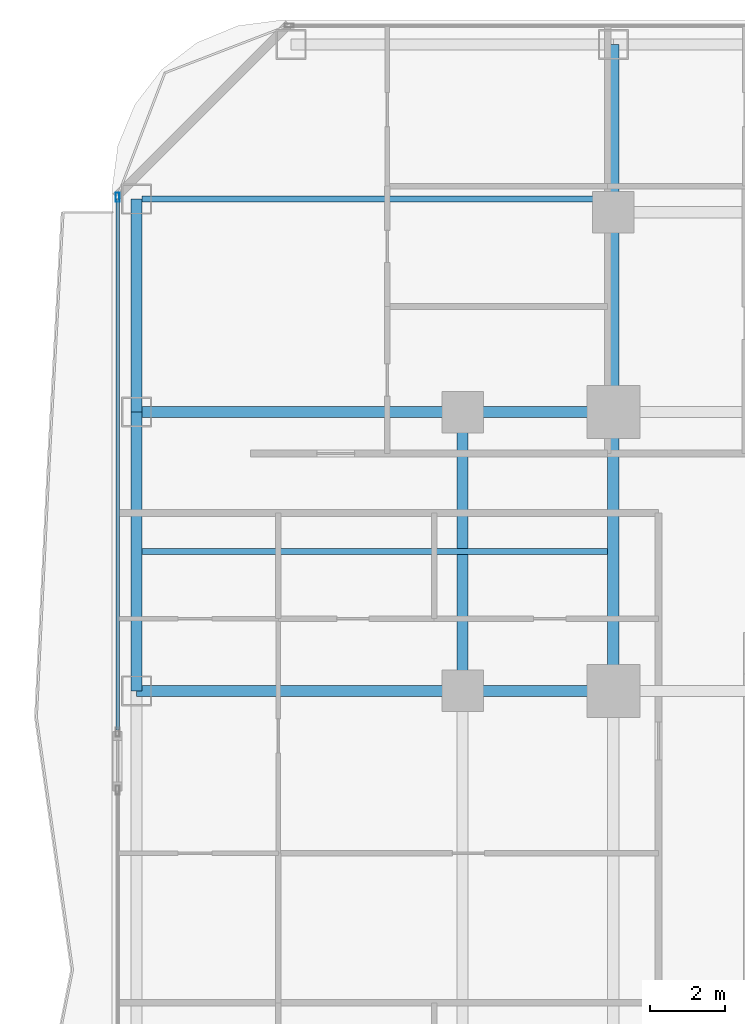
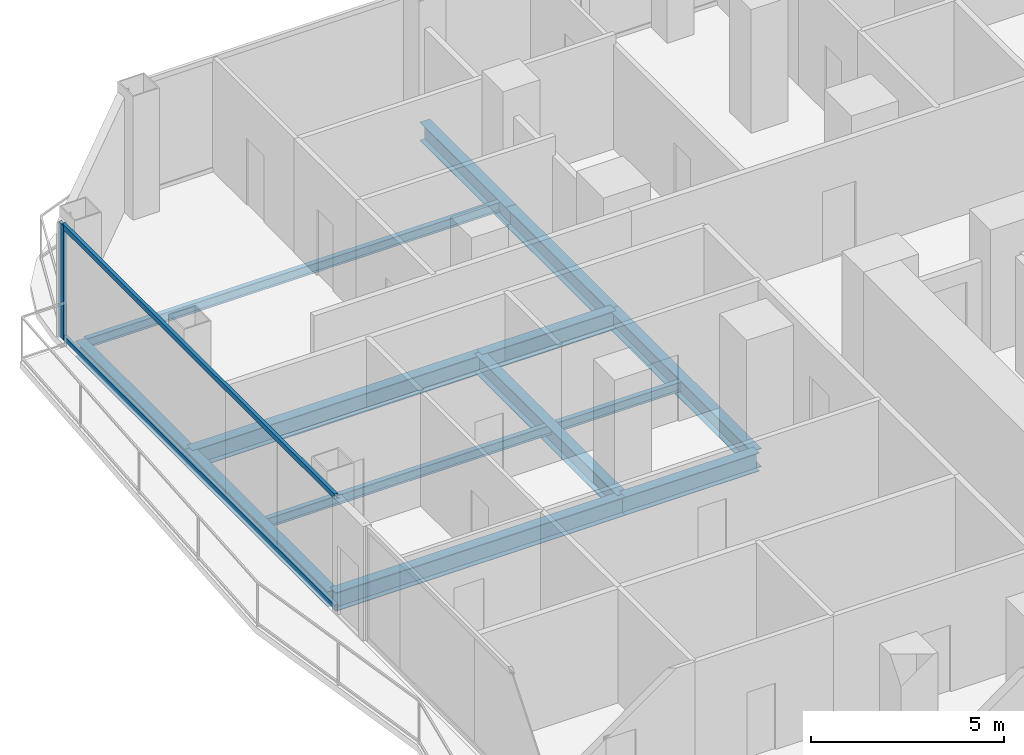
# One storey, part 13 of 29: 12 beams, 3 members, 1 element without a shape of its own.
"""IFC4 building model written with IfcOpenShell, lengths in metres."""

from ifc_helpers import new_model, si_unit, direction, frame, origin, origin_2d, place, context, subcontext, project, spatial, hollow_rectangle, i_section, extrude, material, layer, layer_set, material_profile, profile_set, type_object, element, aggregate, save


model = new_model("IFC4")

# Units and contexts
model_context = context("Model", 3, precision=1e-05, world=origin(), true_north=direction((0.0, 1.0)))
body_context = subcontext(model_context, "Body", "Model", "MODEL_VIEW")
ifc_project = project(units=[si_unit("LENGTHUNIT", "METRE"), si_unit("AREAUNIT", "SQUARE_METRE"), si_unit("VOLUMEUNIT", "CUBIC_METRE"), si_unit("PLANEANGLEUNIT", "RADIAN"), si_unit("MASSUNIT", "GRAM", prefix="KILO")], contexts=[model_context])

# Site, building, storey
site_placement = place(None, origin())
site = spatial("IfcSite", under=ifc_project, at=site_placement, CompositionType="ELEMENT")
building_placement = place(site_placement, origin())
building = spatial("IfcBuilding", under=site, at=building_placement, Name="Khorvyn Point Tower", CompositionType="ELEMENT")
storey_placement = place(building_placement, frame((0.0, 0.0, 73.5)))
storey = spatial("IfcBuildingStorey", under=building, at=storey_placement, Name="L19", CompositionType="ELEMENT", Elevation=73.5)

# Curtain wall, members
ifc_material_1 = material(Name="Anodised aluminium 6063-T6 and laminated Low-E glass", Category="aluminium")
ifc_layer = layer(ifc_material_1, 0.18994140625)
ifc_layer_set = layer_set([ifc_layer], Name="Stick-Built Finned Residential Curtain Wall CW-SYS-02")
curtain_wall_type = type_object("IfcCurtainWallType", Name="Stick-Built Finned Residential Curtain Wall CW-SYS-02", PredefinedType="NOTDEFINED", material=ifc_layer_set)
curtain_wall_placement = place(storey_placement, origin())
curtain_wall = element("IfcCurtainWall", 1, at=curtain_wall_placement, inside=storey, type_object=curtain_wall_type, Name="Curtain Wall", PredefinedType="NOTDEFINED")
ifc_material_2 = material(Name="Anodised aluminium 6063-T6", Category="aluminium")
ifc_material_profile_1 = material_profile(ifc_material_2, hollow_rectangle(XDim=0.10009765625, YDim=0.239990234375, WallThickness=0.0048828125, at=origin_2d()))
ifc_profile_set_1 = profile_set([ifc_material_profile_1], Name="Anodised aluminium 6063-T6 ALU-MUL-100x240")
member_type_1 = type_object("IfcMemberType", Name="Anodised Aluminium 6063-T6 Mullion ALU-MUL-100x240", PredefinedType="MULLION", material=ifc_profile_set_1)
member_1_placement = place(storey_placement, frame((-27.949951171875, 20.5, 0.0), z_axis=(0.0, 0.0, 1.0), x_axis=(-1.0, 0.0, 0.0)))
member_1 = element("IfcMember", 2, at=member_1_placement, type_object=member_type_1, Name="Transom", PredefinedType="MULLION", context=body_context, shape_type="SweptSolid", body=[
    extrude(hollow_rectangle(XDim=0.10009765625, YDim=0.239990234375, WallThickness=0.0048828125, at=origin_2d()), origin(), (0.0, 0.0, 1.0), 3.60009765625),
])
ifc_material_profile_2 = material_profile(ifc_material_2, hollow_rectangle(XDim=0.10009765625, YDim=0.159912109375, WallThickness=0.00439453125, at=origin_2d()))
ifc_profile_set_2 = profile_set([ifc_material_profile_2], Name="Anodised aluminium 6063-T6 ALU-TRN-100x160")
member_type_2 = type_object("IfcMemberType", Name="Anodised Aluminium 6063-T6 Transom ALU-TRN-100x160", PredefinedType="USERDEFINED", material=ifc_profile_set_2)
member_2_placement = place(storey_placement, frame((-27.949951171875, 6.35888671875, 0.050048828125), z_axis=(0.0, 1.0, 0.0), x_axis=(-1.0, 0.0, 0.0)))
member_2 = element("IfcMember", 3, at=member_2_placement, type_object=member_type_2, Name="Transom", ObjectType="TRANSOM", PredefinedType="USERDEFINED", context=body_context, shape_type="SweptSolid", body=[
    extrude(hollow_rectangle(XDim=0.10009765625, YDim=0.159912109375, WallThickness=0.00439453125, at=origin_2d()), origin(), (0.0, 0.0, 1.0), 14.091064453125),
])
member_3_placement = place(storey_placement, frame((-27.949951171875, 6.35888671875, 3.550048828125), z_axis=(0.0, 1.0, 0.0), x_axis=(-1.0, 0.0, 0.0)))
member_3 = element("IfcMember", 4, at=member_3_placement, type_object=member_type_2, Name="Transom", ObjectType="TRANSOM", PredefinedType="USERDEFINED", context=body_context, shape_type="SweptSolid", body=[
    extrude(hollow_rectangle(XDim=0.10009765625, YDim=0.159912109375, WallThickness=0.00439453125, at=origin_2d()), origin(), (0.0, 0.0, 1.0), 14.091064453125),
])
aggregate(curtain_wall, [member_1, member_2, member_3])

# Beams
ifc_material_3 = material(Name="Steel S355", Category="steel")
ifc_material_profile_3 = material_profile(ifc_material_3, i_section(OverallWidth=0.300048828125, OverallDepth=0.587890625, WebThickness=0.011962890625, FlangeThickness=0.02001953125, at=origin_2d()))
ifc_profile_set_3 = profile_set([ifc_material_profile_3], Name="Steel S355 H588x300x12x20")
beam_type_1 = type_object("IfcBeamType", Name="Steel S355 Beam H588x300x12x20", PredefinedType="BEAM", material=ifc_profile_set_3)
beam_1_placement = place(storey_placement, frame((-27.449951171875, 14.800048828125, -0.513916015625), z_axis=(1.0, 0.0, 0.0), x_axis=(0.0, 1.0, 0.0)))
element("IfcBeam", 5, at=beam_1_placement, inside=storey, type_object=beam_type_1, Name="Beam", PredefinedType="BEAM", context=body_context, shape_type="SweptSolid", body=[
    extrude(i_section(OverallWidth=0.300048828125, OverallDepth=0.587890625, WebThickness=0.011962890625, FlangeThickness=0.02001953125, at=origin_2d()), origin(), (0.0, 0.0, 1.0), 8.64990234375),
])
beam_2_placement = place(storey_placement, frame((-18.800048828125, 14.800048828125, -0.513916015625), z_axis=(1.0, 0.0, 0.0), x_axis=(0.0, 1.0, 0.0)))
element("IfcBeam", 6, at=beam_2_placement, inside=storey, type_object=beam_type_1, Name="Beam", PredefinedType="BEAM", context=body_context, shape_type="SweptSolid", body=[
    extrude(i_section(OverallWidth=0.300048828125, OverallDepth=0.587890625, WebThickness=0.011962890625, FlangeThickness=0.02001953125, at=origin_2d()), origin(), (0.0, 0.0, 1.0), 4.0),
])
beam_3_placement = place(storey_placement, frame((-27.449951171875, 7.39990234375, -0.513916015625), z_axis=(1.0, 0.0, 0.0), x_axis=(0.0, 1.0, 0.0)))
element("IfcBeam", 7, at=beam_3_placement, inside=storey, type_object=beam_type_1, Name="Beam", PredefinedType="BEAM", context=body_context, shape_type="SweptSolid", body=[
    extrude(i_section(OverallWidth=0.300048828125, OverallDepth=0.587890625, WebThickness=0.011962890625, FlangeThickness=0.02001953125, at=origin_2d()), origin(), (0.0, 0.0, 1.0), 8.64990234375),
])
beam_4_placement = place(storey_placement, frame((-18.800048828125, 7.39990234375, -0.513916015625), z_axis=(1.0, 0.0, 0.0), x_axis=(0.0, 1.0, 0.0)))
element("IfcBeam", 8, at=beam_4_placement, inside=storey, type_object=beam_type_1, Name="Beam", PredefinedType="BEAM", context=body_context, shape_type="SweptSolid", body=[
    extrude(i_section(OverallWidth=0.300048828125, OverallDepth=0.587890625, WebThickness=0.011962890625, FlangeThickness=0.02001953125, at=origin_2d()), origin(), (0.0, 0.0, 1.0), 4.0),
])
beam_5_placement = place(storey_placement, frame((-14.800048828125, 7.39990234375, -0.513916015625), z_axis=(0.0, 1.0, 0.0), x_axis=(-1.0, 0.0, 0.0)))
element("IfcBeam", 9, at=beam_5_placement, inside=storey, type_object=beam_type_1, Name="Beam", PredefinedType="BEAM", context=body_context, shape_type="SweptSolid", body=[
    extrude(i_section(OverallWidth=0.300048828125, OverallDepth=0.587890625, WebThickness=0.011962890625, FlangeThickness=0.02001953125, at=origin_2d()), origin(), (0.0, 0.0, 1.0), 7.400146484375),
])
beam_6_placement = place(storey_placement, frame((-14.800048828125, 14.800048828125, -0.513916015625), z_axis=(0.0, 1.0, 0.0), x_axis=(-1.0, 0.0, 0.0)))
element("IfcBeam", 10, at=beam_6_placement, inside=storey, type_object=beam_type_1, Name="Beam", PredefinedType="BEAM", context=body_context, shape_type="SweptSolid", body=[
    extrude(i_section(OverallWidth=0.300048828125, OverallDepth=0.587890625, WebThickness=0.011962890625, FlangeThickness=0.02001953125, at=origin_2d()), origin(), (0.0, 0.0, 1.0), 5.300048828125),
])
beam_7_placement = place(storey_placement, frame((-14.800048828125, 20.10009765625, -0.513916015625), z_axis=(0.0, 1.0, 0.0), x_axis=(-1.0, 0.0, 0.0)))
element("IfcBeam", 11, at=beam_7_placement, inside=storey, type_object=beam_type_1, Name="Beam", PredefinedType="BEAM", context=body_context, shape_type="SweptSolid", body=[
    extrude(i_section(OverallWidth=0.300048828125, OverallDepth=0.587890625, WebThickness=0.011962890625, FlangeThickness=0.02001953125, at=origin_2d()), origin(), (0.0, 0.0, 1.0), 4.449951171875),
])
beam_8_placement = place(storey_placement, frame((-18.800048828125, 7.39990234375, -0.513916015625), z_axis=(0.0, 1.0, 0.0), x_axis=(-1.0, 0.0, 0.0)))
element("IfcBeam", 12, at=beam_8_placement, inside=storey, type_object=beam_type_1, Name="Beam", PredefinedType="BEAM", context=body_context, shape_type="SweptSolid", body=[
    extrude(i_section(OverallWidth=0.300048828125, OverallDepth=0.587890625, WebThickness=0.011962890625, FlangeThickness=0.02001953125, at=origin_2d()), origin(), (0.0, 0.0, 1.0), 7.400146484375),
])
ifc_material_profile_4 = material_profile(ifc_material_3, i_section(OverallWidth=0.14990234375, OverallDepth=0.300048828125, WebThickness=0.006591796875, FlangeThickness=0.009033203125, at=origin_2d()))
ifc_profile_set_4 = profile_set([ifc_material_profile_4], Name="Steel S355 H300x150x6.5x9")
beam_type_2 = type_object("IfcBeamType", Name="Steel S355 Joist H300x150x6.5x9", PredefinedType="JOIST", material=ifc_profile_set_4)
for number, where, z_axis, x_axis, name in (
    (13, (-27.300048828125, 11.10009765625, -0.3701171875), (1.0, 0.0, 0.0), (0.0, 1.0, 0.0), "Beam"),
    (14, (-27.300048828125, 20.449951171875, -0.3701171875), (1.0, 0.0, 0.0), (0.0, 1.0, 0.0), "Beam"),
):
    element("IfcBeam", number, at=place(storey_placement, frame(where, z_axis=z_axis, x_axis=x_axis)), inside=storey, type_object=beam_type_2, Name=name, PredefinedType="JOIST", context=body_context, shape_type="SweptSolid", body=[
        extrude(i_section(OverallWidth=0.14990234375, OverallDepth=0.300048828125, WebThickness=0.006591796875, FlangeThickness=0.009033203125, at=origin_2d()), origin(), (0.0, 0.0, 1.0), 12.35009765625),
    ])
ifc_material_profile_5 = material_profile(ifc_material_3, i_section(OverallWidth=0.300048828125, OverallDepth=0.488037109375, WebThickness=0.010986328125, FlangeThickness=0.01806640625, at=origin_2d()))
ifc_profile_set_5 = profile_set([ifc_material_profile_5], Name="Steel S355 H488x300x11x18")
beam_type_3 = type_object("IfcBeamType", Name="Steel S355 Spandrel H488x300x11x18", PredefinedType="SPANDREL", material=ifc_profile_set_5)
beam_9_placement = place(storey_placement, frame((-27.449951171875, 7.39990234375, -0.464111328125), z_axis=(0.0, 1.0, 0.0), x_axis=(-1.0, 0.0, 0.0)))
element("IfcBeam", 15, at=beam_9_placement, inside=storey, type_object=beam_type_3, Name="Beam", PredefinedType="SPANDREL", context=body_context, shape_type="SweptSolid", body=[
    extrude(i_section(OverallWidth=0.300048828125, OverallDepth=0.488037109375, WebThickness=0.010986328125, FlangeThickness=0.01806640625, at=origin_2d()), origin(), (0.0, 0.0, 1.0), 7.400146484375),
])
beam_10_placement = place(storey_placement, frame((-27.449951171875, 14.800048828125, -0.464111328125), z_axis=(0.0, 1.0, 0.0), x_axis=(-1.0, 0.0, 0.0)))
element("IfcBeam", 16, at=beam_10_placement, inside=storey, type_object=beam_type_3, Name="Beam", PredefinedType="SPANDREL", context=body_context, shape_type="SweptSolid", body=[
    extrude(i_section(OverallWidth=0.300048828125, OverallDepth=0.488037109375, WebThickness=0.010986328125, FlangeThickness=0.01806640625, at=origin_2d()), origin(), (0.0, 0.0, 1.0), 5.64990234375),
])

save(model, "model.ifc")
